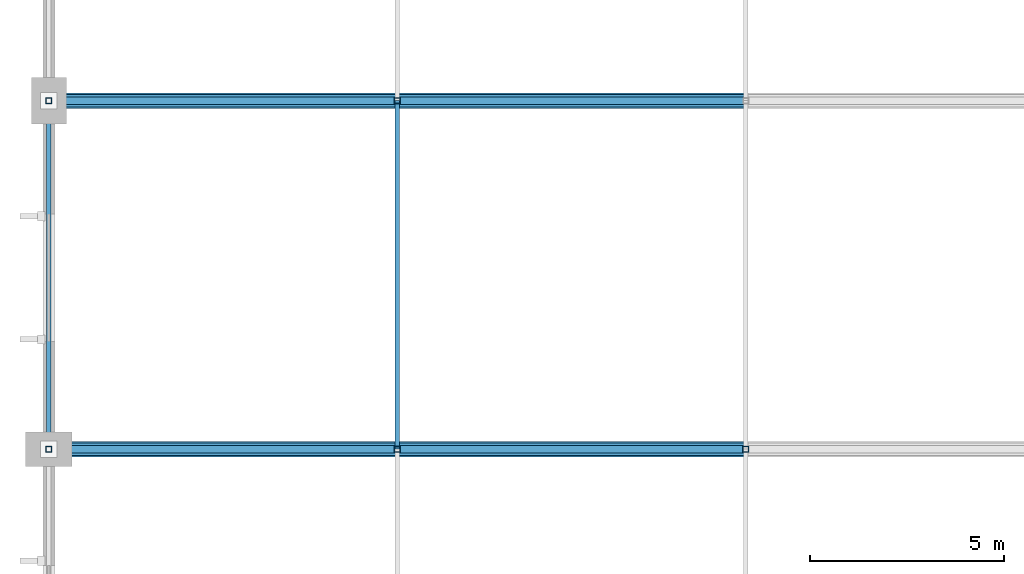
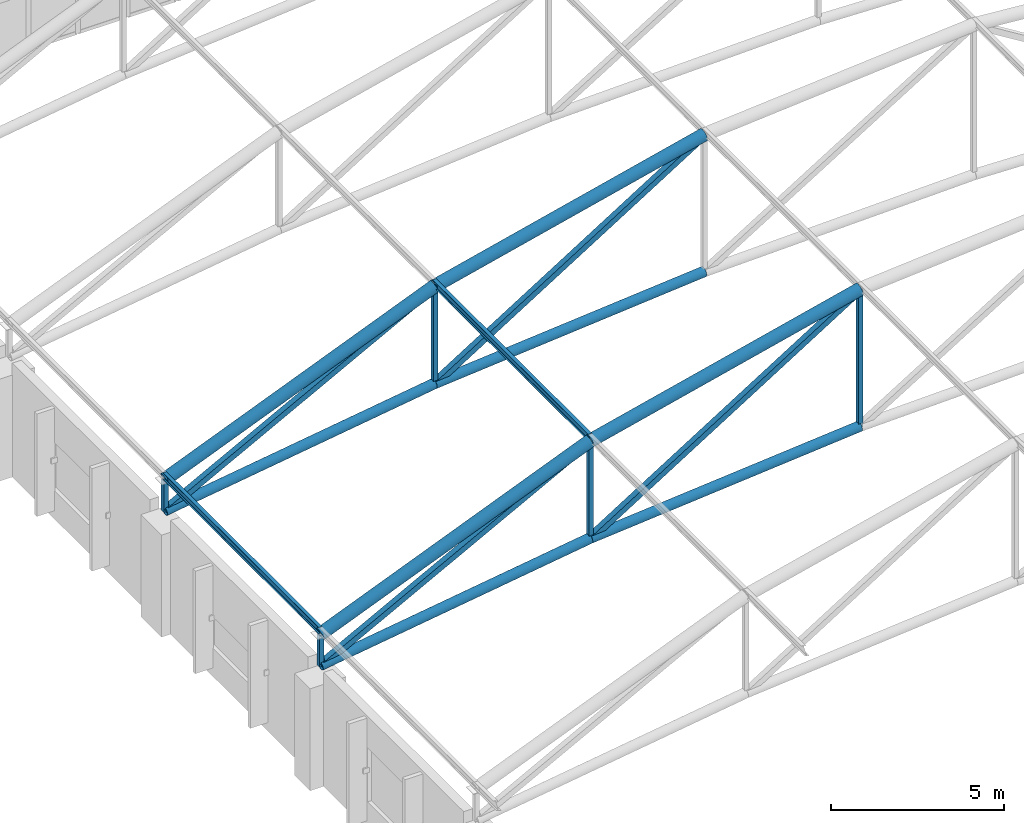
# One storey, part 53 of 167: 19 members.
"""IFC4 building model written with IfcOpenShell, lengths in metres."""

import ifcopenshell
import ifcopenshell.guid

model = None  # the IFC model being written
_history = None  # IfcOwnerHistory: only IFC2X3 demands one
_inside = {}  # id of a spatial element -> (the spatial element, [elements in it])
_under = {}  # id of a project, library or spatial element -> (it, [spatial elements below it])
_declared = {}  # id of a project -> (the project, [libraries it declares])
_typed = {}  # id of a type object -> (the type object, [elements of that type])
_made_of = {}  # id of a material, layer set ... -> (it, [elements and type objects made of it])


def new_model(schema):
    """Start an empty IFC model of exactly this schema.

    Asked for "IFC4X3", IfcOpenShell would pick the latest addendum, in which some entities
    have other attributes; the version numbers below select the first issue.
    IFC2X3 requires an IfcOwnerHistory on every rooted entity: one is made here for all.
    """
    global model, _history
    if schema == "IFC4X3":
        model = ifcopenshell.file(schema_version=(4, 3, 0, 0))
    else:
        model = ifcopenshell.file(schema=schema)
    _inside.clear()
    _under.clear()
    _declared.clear()
    _typed.clear()
    _made_of.clear()
    _history = None
    if model.schema == "IFC2X3":
        org = make("IfcOrganization", Name="unknown")
        user = make(
            "IfcPersonAndOrganization",
            ThePerson=make("IfcPerson", FamilyName="unknown"),
            TheOrganization=org,
        )
        app = make(
            "IfcApplication",
            ApplicationDeveloper=org,
            Version="unknown",
            ApplicationFullName="unknown",
            ApplicationIdentifier="unknown",
        )
        _history = make(
            "IfcOwnerHistory",
            OwningUser=user,
            OwningApplication=app,
            ChangeAction="ADDED",
            CreationDate=0,
        )
    return model


def make(cls, **values):
    """One entity of the class cls with the attributes given. An attribute that is None is left unset."""
    return model.create_entity(
        cls, **{name: value for name, value in values.items() if value is not None}
    )


def rooted(cls, **values):
    """An entity with a GlobalId (a new one), such as an element, a storey or a relation."""
    return make(cls, GlobalId=ifcopenshell.guid.new(), OwnerHistory=_history, **values)


def si_unit(unit_type, name, prefix=None):
    """IfcSIUnit, for example si_unit("LENGTHUNIT", "METRE", prefix="MILLI")."""
    return make("IfcSIUnit", UnitType=unit_type, Prefix=prefix, Name=name)


def assignment(units):
    """IfcUnitAssignment: the units of a project."""
    return None if units is None else make("IfcUnitAssignment", Units=units)


def point(xyz):
    """IfcCartesianPoint."""
    return None if xyz is None else make("IfcCartesianPoint", Coordinates=xyz)


def direction(xyz):
    """IfcDirection."""
    return None if xyz is None else make("IfcDirection", DirectionRatios=xyz)


def frame(location, z_axis=None, x_axis=None):
    """IfcAxis2Placement3D, a coordinate frame: its origin and axes. An axis left out is left unset."""
    return make(
        "IfcAxis2Placement3D",
        Location=point(location),
        Axis=direction(z_axis),
        RefDirection=direction(x_axis),
    )


def frame_2d(location, x_axis=None):
    """IfcAxis2Placement2D, a coordinate frame in the plane: its origin and x axis."""
    return make(
        "IfcAxis2Placement2D", Location=point(location), RefDirection=direction(x_axis)
    )


def origin():
    """The frame at (0, 0, 0) with its axes left unset."""
    return frame((0.0, 0.0, 0.0))


def origin_2d():
    """The frame at (0, 0) in the plane with its x axis left unset."""
    return frame_2d((0.0, 0.0))


def place(relative_to, where):
    """IfcLocalPlacement: puts the frame where relative to a parent placement (None: the world)."""
    return make(
        "IfcLocalPlacement", PlacementRelTo=relative_to, RelativePlacement=where
    )


def context(
    kind, dimensions, precision=None, world=None, true_north=None, identifier=None
):
    """IfcGeometricRepresentationContext, for example the 3D "Model" context."""
    return make(
        "IfcGeometricRepresentationContext",
        ContextIdentifier=identifier,
        ContextType=kind,
        CoordinateSpaceDimension=dimensions,
        Precision=precision,
        WorldCoordinateSystem=world,
        TrueNorth=true_north,
    )


def subcontext(parent, identifier, kind, view, scale=None):
    """IfcGeometricRepresentationSubContext, for example "Body" below "Model"."""
    return make(
        "IfcGeometricRepresentationSubContext",
        ContextIdentifier=identifier,
        ContextType=kind,
        ParentContext=parent,
        TargetScale=scale,
        TargetView=view,
    )


def project(units=None, contexts=None):
    """IfcProject with its units and contexts."""
    return rooted(
        "IfcProject",
        Name="project",
        RepresentationContexts=contexts,
        UnitsInContext=assignment(units),
    )


def spatial(cls, under=None, at=None, **own):
    """A site, building, storey or space (cls), placed at a placement, below another one or the project."""
    s = rooted(cls, ObjectPlacement=at, **own)
    if under is not None:
        _under.setdefault(under.id(), (under, []))[1].append(s)
    return s


def profile(cls, at=None, kind="AREA", **sizes):
    """A parametric profile (cls). Its sizes go by their IFC names, for example OverallWidth=200.0."""
    return make(cls, ProfileType=kind, Position=at, **sizes)


def hollow_rectangle(**sizes):
    """IfcRectangleHollowProfileDef."""
    return profile("IfcRectangleHollowProfileDef", **sizes)


def hollow_circle(**sizes):
    """IfcCircleHollowProfileDef."""
    return profile("IfcCircleHollowProfileDef", **sizes)


def i_section(**sizes):
    """IfcIShapeProfileDef."""
    return profile("IfcIShapeProfileDef", **sizes)


def extrude(swept, where, along, depth):
    """IfcExtrudedAreaSolid: the profile swept, set in the frame where, extruded along a direction by depth."""
    return make(
        "IfcExtrudedAreaSolid",
        SweptArea=swept,
        Position=where,
        ExtrudedDirection=direction(along),
        Depth=depth,
    )


def shape(context_of_items, identifier, shape_type, items):
    """IfcShapeRepresentation: the items that make up one representation, for example the "Body"."""
    return make(
        "IfcShapeRepresentation",
        ContextOfItems=context_of_items,
        RepresentationIdentifier=identifier,
        RepresentationType=shape_type,
        Items=items,
    )


def material(Name=None, Category=None):
    """IfcMaterial."""
    return make("IfcMaterial", Name=Name, Category=Category)


def material_profile(
    of_material, cross_section, Name=None, Category=None, Priority=None
):
    """IfcMaterialProfile: a cross section and its material."""
    return make(
        "IfcMaterialProfile",
        Name=Name,
        Material=of_material,
        Profile=cross_section,
        Priority=Priority,
        Category=Category,
    )


def profile_set(profiles, Name=None, composite=None):
    """IfcMaterialProfileSet."""
    return make(
        "IfcMaterialProfileSet",
        Name=Name,
        MaterialProfiles=profiles,
        CompositeProfile=composite,
    )


def made_of(thing, what):
    """Note that an element or type object is made of a material, layer set ...; save() writes the relation."""
    if what is not None:
        _made_of.setdefault(what.id(), (what, []))[1].append(thing)
    return thing


def type_object(cls, material=None, **own):
    """A type object (cls), such as IfcWallType, which elements share."""
    return made_of(rooted(cls, **own), material)


def element(
    cls,
    number,
    at=None,
    inside=None,
    cuts=None,
    type_object=None,
    material=None,
    context=None,
    identifier="Body",
    shape_type=None,
    held_by="IfcProductDefinitionShape",
    body=None,
    shapes=None,
    **own,
):
    """One element of the class cls, such as IfcWall. Its Tag is "e" and its number.

    at: its placement. inside: the storey or other place that contains it. cuts: it is an
    opening in that element (IfcRelVoidsElement). A single representation is given by context,
    identifier, shape_type and body (its items); several are given by shapes. held_by: the class
    of the entity that holds the representations. save() writes the other relations.
    """
    e = rooted(cls, Tag="e%d" % number, ObjectPlacement=at, **own)
    if body is not None:
        shapes = [shape(context, identifier, shape_type, body)]
    if shapes is not None:
        e.Representation = make(held_by, Representations=shapes)
    if inside is not None:
        _inside.setdefault(inside.id(), (inside, []))[1].append(e)
    if cuts is not None:
        rooted(
            "IfcRelVoidsElement", RelatingBuildingElement=cuts, RelatedOpeningElement=e
        )
    if type_object is not None:
        _typed.setdefault(type_object.id(), (type_object, []))[1].append(e)
    return made_of(e, material)


def aggregate(whole, parts):
    """IfcRelAggregates: a whole, such as a stair, and the parts it consists of."""
    return rooted("IfcRelAggregates", RelatingObject=whole, RelatedObjects=parts)


def save(model, path):
    """Write the relations noted so far, then the file.

    IfcRelAggregates (storeys below a building ...), IfcRelContainedInSpatialStructure (elements
    in a storey), IfcRelDefinesByType, IfcRelAssociatesMaterial and IfcRelDeclares: one each for
    every whole, place, type object, material and project.
    """
    for whole, parts in _under.values():
        aggregate(whole, parts)
    for where, things in _inside.values():
        rooted(
            "IfcRelContainedInSpatialStructure",
            RelatedElements=things,
            RelatingStructure=where,
        )
    for kind, things in _typed.values():
        rooted("IfcRelDefinesByType", RelatedObjects=things, RelatingType=kind)
    for what, things in _made_of.values():
        rooted("IfcRelAssociatesMaterial", RelatedObjects=things, RelatingMaterial=what)
    for by, libraries in _declared.values():
        rooted("IfcRelDeclares", RelatingContext=by, RelatedDefinitions=libraries)
    model.write(path)


model = new_model("IFC4")

# Units and contexts
model_context = context("Model", 3, precision=1e-05, world=origin(), true_north=direction((0.0, 1.0)))
body_context = subcontext(model_context, "Body", "Model", "MODEL_VIEW")
ifc_project = project(units=[si_unit("LENGTHUNIT", "METRE"), si_unit("AREAUNIT", "SQUARE_METRE"), si_unit("VOLUMEUNIT", "CUBIC_METRE"), si_unit("PLANEANGLEUNIT", "RADIAN"), si_unit("MASSUNIT", "GRAM", prefix="KILO")], contexts=[model_context])

# Site, building, storey
site_placement = place(None, origin())
site = spatial("IfcSite", under=ifc_project, at=site_placement, CompositionType="ELEMENT")
building_placement = place(site_placement, origin())
building = spatial("IfcBuilding", under=site, at=building_placement, Name="Dornveld Trade and Exhibition Forum", CompositionType="ELEMENT")
storey_placement = place(building_placement, frame((0.0, 0.0, 16.800048828125)))
storey = spatial("IfcBuildingStorey", under=building, at=storey_placement, Name="L03", CompositionType="ELEMENT", Elevation=16.800048828125)

# Members
ifc_material_1 = material(Name="Steel S355J2", Category="steel")
ifc_material_profile_1 = material_profile(ifc_material_1, hollow_circle(Radius=0.161865234375, WallThickness=0.01611328125, at=origin_2d()), Name="CHS 323.9x16")
ifc_profile_set_1 = profile_set([ifc_material_profile_1], Name="Steel S355J2")
member_type_1 = type_object("IfcMemberType", Name="MEM-ARCH-BC", PredefinedType="CHORD", material=ifc_profile_set_1)
member_1_placement = place(storey_placement, frame((27.0, 99.0, 3.949951171875), z_axis=(0.989204758987, 0.0, 0.146539908551), x_axis=(0.0, 1.0, 0.0)))
element("IfcMember", 1, at=member_1_placement, inside=storey, type_object=member_type_1, Name="H3 truss 8 tie chord 1", PredefinedType="CHORD", context=body_context, shape_type="SweptSolid", body=[
    extrude(hollow_circle(Radius=0.161865234375, WallThickness=0.01611328125, at=origin_2d()), origin(), (0.0, 0.0, 1.0), 9.09814453125),
])
member_2_placement = place(storey_placement, frame((36.0, 99.0, 5.283203125), z_axis=(0.996072164085, 0.0, 0.088545151956), x_axis=(0.0, 1.0, 0.0)))
element("IfcMember", 2, at=member_2_placement, inside=storey, type_object=member_type_1, Name="H3 truss 8 tie chord 2", PredefinedType="CHORD", context=body_context, shape_type="SweptSolid", body=[
    extrude(hollow_circle(Radius=0.161865234375, WallThickness=0.01611328125, at=origin_2d()), origin(), (0.0, 0.0, 1.0), 9.035400390625),
])
member_3_placement = place(storey_placement, frame((27.0, 108.0, 3.949951171875), z_axis=(0.989204758987, 0.0, 0.146539908551), x_axis=(0.0, 1.0, 0.0)))
element("IfcMember", 3, at=member_3_placement, inside=storey, type_object=member_type_1, Name="H3 truss 9 tie chord 1", PredefinedType="CHORD", context=body_context, shape_type="SweptSolid", body=[
    extrude(hollow_circle(Radius=0.161865234375, WallThickness=0.01611328125, at=origin_2d()), origin(), (0.0, 0.0, 1.0), 9.09814453125),
])
member_4_placement = place(storey_placement, frame((36.0, 108.0, 5.283203125), z_axis=(0.996072164085, 0.0, 0.088545151956), x_axis=(0.0, 1.0, 0.0)))
element("IfcMember", 4, at=member_4_placement, inside=storey, type_object=member_type_1, Name="H3 truss 9 tie chord 2", PredefinedType="CHORD", context=body_context, shape_type="SweptSolid", body=[
    extrude(hollow_circle(Radius=0.161865234375, WallThickness=0.01611328125, at=origin_2d()), origin(), (0.0, 0.0, 1.0), 9.035400390625),
])
ifc_material_2 = material(Name="Steel S355J2", Category="steel")
ifc_material_profile_2 = material_profile(ifc_material_2, hollow_rectangle(XDim=0.14990234375, YDim=0.14990234375, WallThickness=0.008056640625, at=origin_2d()), Name="SHS 150x150x8")
ifc_profile_set_2 = profile_set([ifc_material_profile_2], Name="Steel S355J2")
member_type_2 = type_object("IfcMemberType", Name="MEM-ARCH-STR", PredefinedType="STRUT", material=ifc_profile_set_2)
member_5_placement = place(storey_placement, frame((27.0, 99.0, 3.949951171875), z_axis=(0.0, 0.0, 1.0), x_axis=(1.0, 0.0, 0.0)))
element("IfcMember", 5, at=member_5_placement, inside=storey, type_object=member_type_2, Name="H3 truss 8 strut 1", PredefinedType="STRUT", context=body_context, shape_type="SweptSolid", body=[
    extrude(hollow_rectangle(XDim=0.14990234375, YDim=0.14990234375, WallThickness=0.008056640625, at=origin_2d()), origin(), (0.0, 0.0, 1.0), 1.10009765625),
])
member_6_placement = place(storey_placement, frame((36.0, 99.0, 5.283203125), z_axis=(0.0, 0.0, 1.0), x_axis=(1.0, 0.0, 0.0)))
element("IfcMember", 6, at=member_6_placement, inside=storey, type_object=member_type_2, Name="H3 truss 8 strut 2", PredefinedType="STRUT", context=body_context, shape_type="SweptSolid", body=[
    extrude(hollow_rectangle(XDim=0.14990234375, YDim=0.14990234375, WallThickness=0.008056640625, at=origin_2d()), origin(), (0.0, 0.0, 1.0), 3.433349609375),
])
member_7_placement = place(storey_placement, frame((45.0, 99.0, 6.083251953125), z_axis=(0.0, 0.0, 1.0), x_axis=(1.0, 0.0, 0.0)))
element("IfcMember", 7, at=member_7_placement, inside=storey, type_object=member_type_2, Name="H3 truss 8 strut 3", PredefinedType="STRUT", context=body_context, shape_type="SweptSolid", body=[
    extrude(hollow_rectangle(XDim=0.14990234375, YDim=0.14990234375, WallThickness=0.008056640625, at=origin_2d()), origin(), (0.0, 0.0, 1.0), 4.83349609375),
])
member_8_placement = place(storey_placement, frame((27.0, 108.0, 3.949951171875), z_axis=(0.0, 0.0, 1.0), x_axis=(1.0, 0.0, 0.0)))
element("IfcMember", 8, at=member_8_placement, inside=storey, type_object=member_type_2, Name="H3 truss 9 strut 1", PredefinedType="STRUT", context=body_context, shape_type="SweptSolid", body=[
    extrude(hollow_rectangle(XDim=0.14990234375, YDim=0.14990234375, WallThickness=0.008056640625, at=origin_2d()), origin(), (0.0, 0.0, 1.0), 1.10009765625),
])
member_9_placement = place(storey_placement, frame((36.0, 108.0, 5.283203125), z_axis=(0.0, 0.0, 1.0), x_axis=(1.0, 0.0, 0.0)))
element("IfcMember", 9, at=member_9_placement, inside=storey, type_object=member_type_2, Name="H3 truss 9 strut 2", PredefinedType="STRUT", context=body_context, shape_type="SweptSolid", body=[
    extrude(hollow_rectangle(XDim=0.14990234375, YDim=0.14990234375, WallThickness=0.008056640625, at=origin_2d()), origin(), (0.0, 0.0, 1.0), 3.433349609375),
])
ifc_material_3 = material(Name="Steel S355J2", Category="steel")
ifc_material_profile_3 = material_profile(ifc_material_3, hollow_circle(Radius=0.203125, WallThickness=0.02001953125, at=origin_2d()), Name="CHS 406.4x20")
ifc_profile_set_3 = profile_set([ifc_material_profile_3], Name="Steel S355J2")
member_type_3 = type_object("IfcMemberType", Name="MEM-ARCH-TC", PredefinedType="CHORD", material=ifc_profile_set_3)
member_10_placement = place(storey_placement, frame((27.0, 99.0, 5.050048828125), z_axis=(0.926098211611, 0.0, 0.377282523383), x_axis=(0.0, 1.0, 0.0)))
element("IfcMember", 10, at=member_10_placement, inside=storey, type_object=member_type_3, Name="H3 truss 8 top chord 1", PredefinedType="CHORD", context=body_context, shape_type="SweptSolid", body=[
    extrude(hollow_circle(Radius=0.203125, WallThickness=0.02001953125, at=origin_2d()), origin(), (0.0, 0.0, 1.0), 9.71826171875),
])
member_11_placement = place(storey_placement, frame((36.0, 99.0, 8.716552734375), z_axis=(0.971394143806, 0.0, 0.237472982421), x_axis=(0.0, 1.0, 0.0)))
element("IfcMember", 11, at=member_11_placement, inside=storey, type_object=member_type_3, Name="H3 truss 8 top chord 2", PredefinedType="CHORD", context=body_context, shape_type="SweptSolid", body=[
    extrude(hollow_circle(Radius=0.203125, WallThickness=0.02001953125, at=origin_2d()), origin(), (0.0, 0.0, 1.0), 9.26513671875),
])
member_12_placement = place(storey_placement, frame((27.0, 108.0, 5.050048828125), z_axis=(0.926098211611, 0.0, 0.377282523383), x_axis=(0.0, 1.0, 0.0)))
element("IfcMember", 12, at=member_12_placement, inside=storey, type_object=member_type_3, Name="H3 truss 9 top chord 1", PredefinedType="CHORD", context=body_context, shape_type="SweptSolid", body=[
    extrude(hollow_circle(Radius=0.203125, WallThickness=0.02001953125, at=origin_2d()), origin(), (0.0, 0.0, 1.0), 9.71826171875),
])
member_13_placement = place(storey_placement, frame((36.0, 108.0, 8.716552734375), z_axis=(0.971394143806, 0.0, 0.237472982421), x_axis=(0.0, 1.0, 0.0)))
element("IfcMember", 13, at=member_13_placement, inside=storey, type_object=member_type_3, Name="H3 truss 9 top chord 2", PredefinedType="CHORD", context=body_context, shape_type="SweptSolid", body=[
    extrude(hollow_circle(Radius=0.203125, WallThickness=0.02001953125, at=origin_2d()), origin(), (0.0, 0.0, 1.0), 9.26513671875),
])
ifc_material_4 = material(Name="Steel S355J2", Category="steel")
ifc_material_profile_4 = material_profile(ifc_material_4, hollow_rectangle(XDim=0.199951171875, YDim=0.199951171875, WallThickness=0.010009765625, at=origin_2d()), Name="SHS 200x200x10")
ifc_profile_set_4 = profile_set([ifc_material_profile_4], Name="Steel S355J2")
member_type_4 = type_object("IfcMemberType", Name="MEM-ARCH-WEB", PredefinedType="BRACE", material=ifc_profile_set_4)
member_14_placement = place(storey_placement, frame((27.0, 99.0, 3.949951171875), z_axis=(0.883710934211, 0.0, 0.468033102201), x_axis=(0.0, 1.0, 0.0)))
element("IfcMember", 14, at=member_14_placement, inside=storey, type_object=member_type_4, Name="H3 truss 8 web 1", PredefinedType="BRACE", context=body_context, shape_type="SweptSolid", body=[
    extrude(hollow_rectangle(XDim=0.199951171875, YDim=0.199951171875, WallThickness=0.010009765625, at=origin_2d()), origin(), (0.0, 0.0, 1.0), 10.184326171875),
])
member_15_placement = place(storey_placement, frame((36.0, 99.0, 5.283203125), z_axis=(0.84763640931, 0.0, 0.53057753214), x_axis=(0.0, 1.0, 0.0)))
element("IfcMember", 15, at=member_15_placement, inside=storey, type_object=member_type_4, Name="H3 truss 8 web 2", PredefinedType="BRACE", context=body_context, shape_type="SweptSolid", body=[
    extrude(hollow_rectangle(XDim=0.199951171875, YDim=0.199951171875, WallThickness=0.010009765625, at=origin_2d()), origin(), (0.0, 0.0, 1.0), 10.61767578125),
])
member_16_placement = place(storey_placement, frame((27.0, 108.0, 3.949951171875), z_axis=(0.883710934211, 0.0, 0.468033102201), x_axis=(0.0, 1.0, 0.0)))
element("IfcMember", 16, at=member_16_placement, inside=storey, type_object=member_type_4, Name="H3 truss 9 web 1", PredefinedType="BRACE", context=body_context, shape_type="SweptSolid", body=[
    extrude(hollow_rectangle(XDim=0.199951171875, YDim=0.199951171875, WallThickness=0.010009765625, at=origin_2d()), origin(), (0.0, 0.0, 1.0), 10.184326171875),
])
member_17_placement = place(storey_placement, frame((36.0, 108.0, 5.283203125), z_axis=(0.84763640931, 0.0, 0.53057753214), x_axis=(0.0, 1.0, 0.0)))
element("IfcMember", 17, at=member_17_placement, inside=storey, type_object=member_type_4, Name="H3 truss 9 web 2", PredefinedType="BRACE", context=body_context, shape_type="SweptSolid", body=[
    extrude(hollow_rectangle(XDim=0.199951171875, YDim=0.199951171875, WallThickness=0.010009765625, at=origin_2d()), origin(), (0.0, 0.0, 1.0), 10.61767578125),
])
ifc_material_5 = material(Name="Steel S355J2", Category="steel")
ifc_material_profile_5 = material_profile(ifc_material_5, i_section(OverallWidth=0.1201171875, OverallDepth=0.239990234375, WebThickness=0.006103515625, FlangeThickness=0.009765625, FilletRadius=0.014892578125, at=origin_2d()), Name="IPE 240")
ifc_profile_set_5 = profile_set([ifc_material_profile_5], Name="Steel S355J2")
member_type_5 = type_object("IfcMemberType", Name="MEM-PURLIN-240", PredefinedType="PURLIN", material=ifc_profile_set_5)
for number, where, z_axis, x_axis, name in (
    (18, (27.0, 99.0, 5.181884765625), (0.0, 1.0, 0.0), (-1.0, 0.0, 0.0), "H3 bay 8 roof purlin 1"),
    (19, (36.0, 99.0, 8.8486328125), (0.0, 1.0, 0.0), (-1.0, 0.0, 0.0), "H3 bay 8 roof purlin 2"),
):
    element("IfcMember", number, at=place(storey_placement, frame(where, z_axis=z_axis, x_axis=x_axis)), inside=storey, type_object=member_type_5, Name=name, PredefinedType="PURLIN", context=body_context, shape_type="SweptSolid", body=[
        extrude(i_section(OverallWidth=0.1201171875, OverallDepth=0.239990234375, WebThickness=0.006103515625, FlangeThickness=0.009765625, FilletRadius=0.014892578125, at=origin_2d()), origin(), (0.0, 0.0, 1.0), 9.0),
    ])

save(model, "model.ifc")
